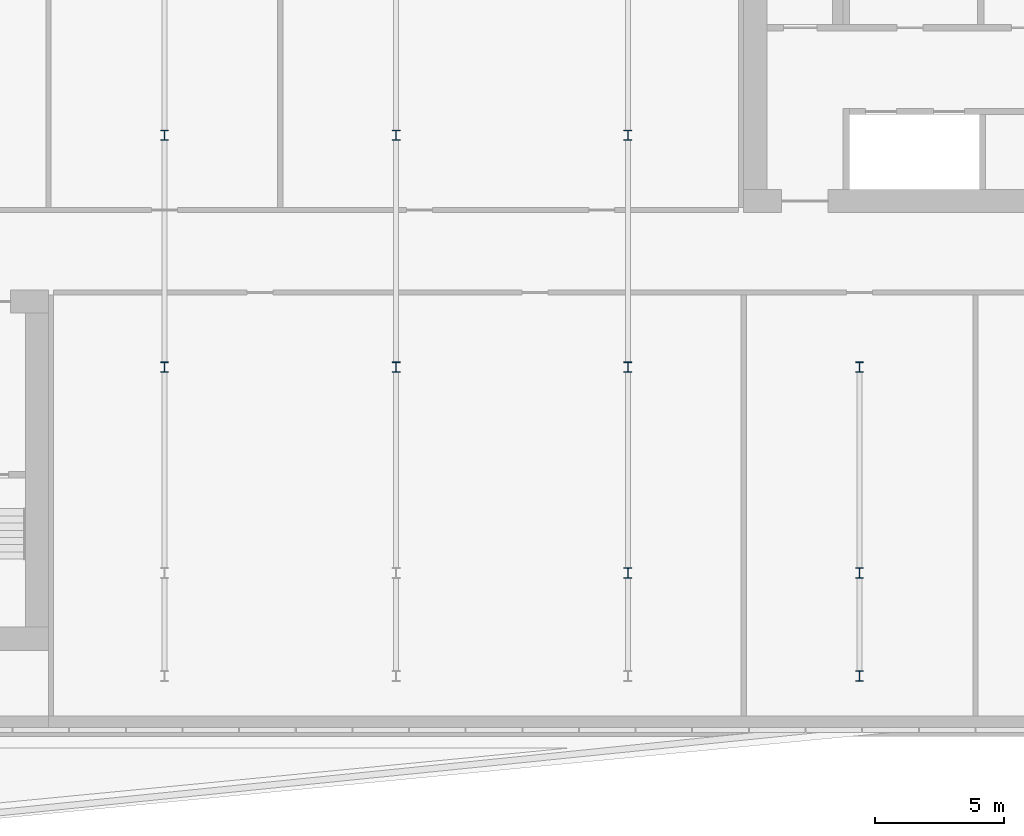
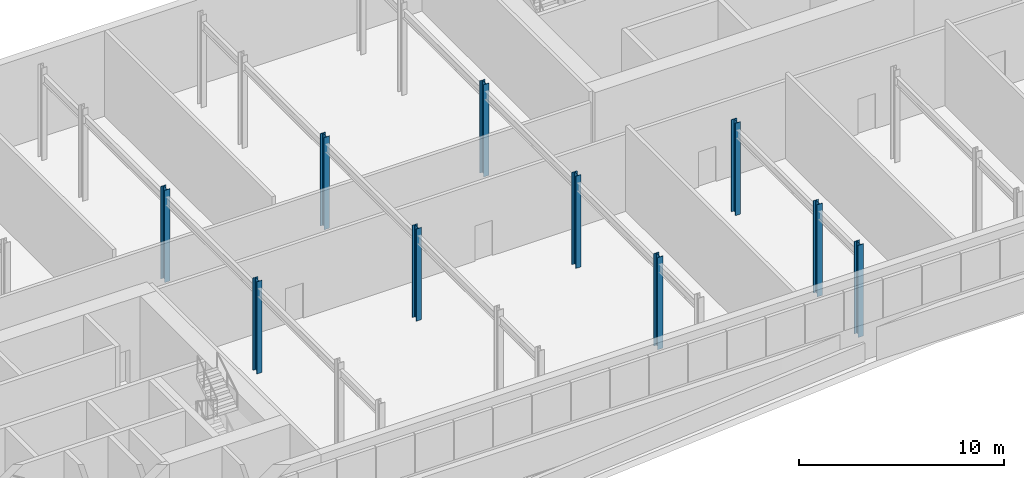
# One storey, part 2 of 16: 10 columns.
"""IFC4 building model written with IfcOpenShell, lengths in metres."""

from ifc_helpers import new_model, si_unit, direction, frame, origin, origin_2d, place, context, subcontext, project, spatial, i_section, extrude, material, material_profile, profile_set, type_object, element, save


model = new_model("IFC4")

# Units and contexts
model_context = context("Model", 3, precision=1e-05, world=origin(), true_north=direction((0.0, 1.0)))
body_context = subcontext(model_context, "Body", "Model", "MODEL_VIEW")
ifc_project = project(units=[si_unit("LENGTHUNIT", "METRE"), si_unit("AREAUNIT", "SQUARE_METRE"), si_unit("VOLUMEUNIT", "CUBIC_METRE"), si_unit("PLANEANGLEUNIT", "RADIAN"), si_unit("MASSUNIT", "GRAM", prefix="KILO")], contexts=[model_context])

# Site, building, storey
site_placement = place(None, origin())
site = spatial("IfcSite", under=ifc_project, at=site_placement, CompositionType="ELEMENT")
building_placement = place(site_placement, origin())
building = spatial("IfcBuilding", under=site, at=building_placement, Name="Kajstack Hotel Tower", CompositionType="ELEMENT")
storey_placement = place(building_placement, frame((0.0, 0.0, 308.10009765625)))
storey = spatial("IfcBuildingStorey", under=building, at=storey_placement, Name="L78", CompositionType="ELEMENT", Elevation=308.10009765625)

# Columns
ifc_material = material(Name="Steel S355J2", Category="steel")
ifc_material_profile = material_profile(ifc_material, i_section(OverallWidth=0.300048828125, OverallDepth=0.39990234375, WebThickness=0.013427734375, FlangeThickness=0.02392578125, FilletRadius=0.027099609375, at=origin_2d()), Name="HEB 400")
ifc_profile_set = profile_set([ifc_material_profile], Name="Steel S355J2")
column_type = type_object("IfcColumnType", Name="CC1 HEB 400", PredefinedType="COLUMN", material=ifc_profile_set)
for number, where, z_axis, x_axis, name in (
    (1, (-9.0, -4.5, 0.0), (0.0, 0.0, 1.0), (1.0, 0.0, 0.0), "S-col-c-L78--9p0-4p5"),
    (2, (-9.0, 4.5, 0.0), (0.0, 0.0, 1.0), (1.0, 0.0, 0.0), "S-col-c-L78--9p0+4p5"),
    (3, (0.0, -4.5, 0.0), (0.0, 0.0, 1.0), (1.0, 0.0, 0.0), "S-col-c-L78-+0p0-4p5"),
    (4, (0.0, 4.5, 0.0), (0.0, 0.0, 1.0), (1.0, 0.0, 0.0), "S-col-c-L78-+0p0+4p5"),
    (5, (9.0, -12.5, 0.0), (0.0, 0.0, 1.0), (1.0, 0.0, 0.0), "S-col-c-L78-+9p0-12p5"),
    (6, (9.0, -4.5, 0.0), (0.0, 0.0, 1.0), (1.0, 0.0, 0.0), "S-col-c-L78-+9p0-4p5"),
    (7, (9.0, 4.5, 0.0), (0.0, 0.0, 1.0), (1.0, 0.0, 0.0), "S-col-c-L78-+9p0+4p5"),
    (8, (18.0, -16.5, 0.0), (0.0, 0.0, 1.0), (1.0, 0.0, 0.0), "S-col-c-L78-+18p0-16p5"),
    (9, (18.0, -12.5, 0.0), (0.0, 0.0, 1.0), (1.0, 0.0, 0.0), "S-col-c-L78-+18p0-12p5"),
    (10, (18.0, -4.5, 0.0), (0.0, 0.0, 1.0), (1.0, 0.0, 0.0), "S-col-c-L78-+18p0-4p5"),
):
    element("IfcColumn", number, at=place(storey_placement, frame(where, z_axis=z_axis, x_axis=x_axis)), inside=storey, type_object=column_type, Name=name, PredefinedType="COLUMN", context=body_context, shape_type="SweptSolid", body=[
        extrude(i_section(OverallWidth=0.300048828125, OverallDepth=0.39990234375, WebThickness=0.013427734375, FlangeThickness=0.02392578125, FilletRadius=0.027099609375, at=origin_2d()), origin(), (0.0, 0.0, 1.0), 5.5),
    ])

save(model, "model.ifc")
